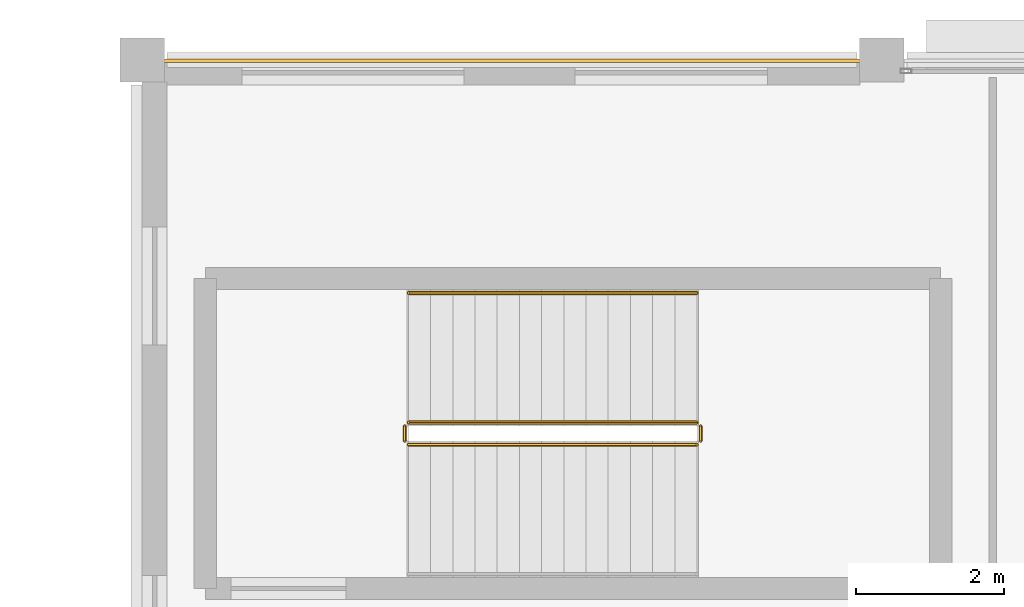
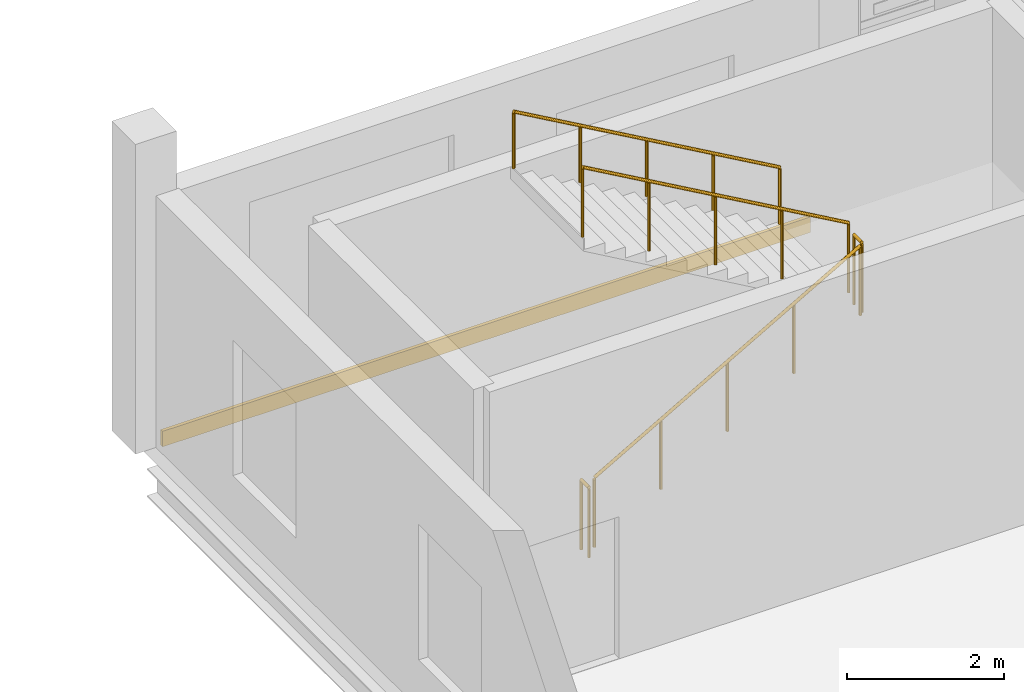
# One storey, part 130 of 134: 5 railings, 1 covering.
"""IFC4 building model written with IfcOpenShell, lengths in metres."""

from ifc_helpers import new_model, si_unit, direction, frame, origin, origin_2d, place, context, subcontext, project, spatial, rectangle, circle, extrude, material, layer, layer_set, type_object, element, save


model = new_model("IFC4")

# Units and contexts
model_context = context("Model", 3, precision=1e-05, world=origin(), true_north=direction((0.0, 1.0)))
body_context = subcontext(model_context, "Body", "Model", "MODEL_VIEW")
ifc_project = project(units=[si_unit("LENGTHUNIT", "METRE"), si_unit("AREAUNIT", "SQUARE_METRE"), si_unit("VOLUMEUNIT", "CUBIC_METRE"), si_unit("PLANEANGLEUNIT", "RADIAN"), si_unit("MASSUNIT", "GRAM", prefix="KILO")], contexts=[model_context])

# Site, building, storey
site_placement = place(None, origin())
site = spatial("IfcSite", under=ifc_project, at=site_placement, CompositionType="ELEMENT")
building_placement = place(site_placement, origin())
building = spatial("IfcBuilding", under=site, at=building_placement, Name="Tamarisk Ironworks Central Station", CompositionType="ELEMENT")
storey_placement = place(building_placement, frame((0.0, 0.0, 12.60009765625)))
storey = spatial("IfcBuildingStorey", under=building, at=storey_placement, Name="L02", CompositionType="ELEMENT", Elevation=12.60009765625)

# Covering
ifc_material_1 = material(Name="Clay facing brickwork and mortar", Category="masonry")
ifc_layer = layer(ifc_material_1, 0.050048828125)
ifc_layer_set = layer_set([ifc_layer], Name="Clay facing brickwork and mortar")
covering_type = type_object("IfcCoveringType", Name="COV-CLAD", PredefinedType="CLADDING", material=ifc_layer_set)
covering_placement = place(storey_placement, frame((123.0, 122.389892578125, -0.240234375), z_axis=(0.0, 0.0, 1.0), x_axis=(1.0, 0.0, 0.0)))
element("IfcCovering", 1, at=covering_placement, inside=storey, type_object=covering_type, Name="L02 terracotta slab-edge spandrel cladding 008", PredefinedType="CLADDING", context=body_context, shape_type="SweptSolid", body=[
    extrude(rectangle(XDim=9.5, YDim=0.050048828125, at=origin_2d()), origin(), (0.0, 0.0, 1.0), 0.239990234375),
])

# Railings
ifc_material_2 = material(Name="Brushed stainless steel AISI 316", Category="steel")
railing_type_1 = type_object("IfcRailingType", Name="RL-GUARD-INT", PredefinedType="BALUSTRADE", material=ifc_material_2)
railing_1_placement = place(storey_placement, frame((121.60009765625, 117.199951171875, 0.17138671875)))
element("IfcRailing", 2, at=railing_1_placement, inside=storey, type_object=railing_type_1, Name="L02 ST-C5 stair guard 1", PredefinedType="BALUSTRADE", context=body_context, shape_type="SweptSolid", body=[
    extrude(circle(Radius=0.02392578125, at=origin_2d()), frame((0.0, 0.0, 1.076171875), z_axis=(0.868243142124, 0.0, 0.496138938357), x_axis=(0.0, 1.0, 0.0)), (0.0, 0.0, 1.0), 4.49169921875),
    extrude(circle(Radius=0.02099609375, at=origin_2d()), origin(), (0.0, 0.0, 1.0), 1.052001953125),
    extrude(circle(Radius=0.02099609375, at=origin_2d()), frame((0.97509765625, 0.0, 0.55712890625)), (0.0, 0.0, 1.0), 1.052001953125),
    extrude(circle(Radius=0.02099609375, at=origin_2d()), frame((1.949951171875, 0.0, 1.1142578125)), (0.0, 0.0, 1.0), 1.052001953125),
    extrude(circle(Radius=0.02099609375, at=origin_2d()), frame((2.9248046875, 0.0, 1.67138671875)), (0.0, 0.0, 1.0), 1.052001953125),
    extrude(circle(Radius=0.02099609375, at=origin_2d()), frame((3.89990234375, 0.0, 2.228515625)), (0.0, 0.0, 1.0), 1.052001953125),
])
railing_2_placement = place(storey_placement, frame((125.550048828125, 117.25, 2.39990234375)))
element("IfcRailing", 3, at=railing_2_placement, inside=storey, type_object=railing_type_1, Name="L02 ST-C5 stair guard 2", PredefinedType="BALUSTRADE", context=body_context, shape_type="SweptSolid", body=[
    extrude(circle(Radius=0.02392578125, at=origin_2d()), frame((0.0, 0.0, 1.076171875), z_axis=(0.0, 1.0, 0.0), x_axis=(-1.0, 0.0, 0.0)), (0.0, 0.0, 1.0), 0.199951171875),
    extrude(circle(Radius=0.02099609375, at=origin_2d()), origin(), (0.0, 0.0, 1.0), 1.052001953125),
    extrude(circle(Radius=0.02099609375, at=origin_2d()), frame((0.0, 0.199951171875, 0.0)), (0.0, 0.0, 1.0), 1.052001953125),
])
railing_3_placement = place(storey_placement, frame((125.5, 117.5, 2.5712890625)))
element("IfcRailing", 4, at=railing_3_placement, inside=storey, type_object=railing_type_1, Name="L02 ST-C5 stair guard 3", PredefinedType="BALUSTRADE", context=body_context, shape_type="SweptSolid", body=[
    extrude(circle(Radius=0.02392578125, at=origin_2d()), frame((0.0, 0.0, 1.076171875), z_axis=(-0.868243142124, 0.0, 0.496138938357), x_axis=(0.0, -1.0, 0.0)), (0.0, 0.0, 1.0), 4.49169921875),
    extrude(circle(Radius=0.02099609375, at=origin_2d()), origin(), (0.0, 0.0, 1.0), 1.052001953125),
    extrude(circle(Radius=0.02099609375, at=origin_2d()), frame((-0.97509765625, 0.0, 0.55712890625)), (0.0, 0.0, 1.0), 1.052001953125),
    extrude(circle(Radius=0.02099609375, at=origin_2d()), frame((-1.949951171875, 0.0, 1.1142578125)), (0.0, 0.0, 1.0), 1.052001953125),
    extrude(circle(Radius=0.02099609375, at=origin_2d()), frame((-2.9248046875, 0.0, 1.67138671875)), (0.0, 0.0, 1.0), 1.052001953125),
    extrude(circle(Radius=0.02099609375, at=origin_2d()), frame((-3.89990234375, 0.0, 2.228515625)), (0.0, 0.0, 1.0), 1.052001953125),
])
railing_4_placement = place(storey_placement, frame((121.550048828125, 117.25, 0.0)))
element("IfcRailing", 5, at=railing_4_placement, inside=storey, type_object=railing_type_1, Name="L02 ST-C5 stair guard 4", PredefinedType="BALUSTRADE", context=body_context, shape_type="SweptSolid", body=[
    extrude(circle(Radius=0.02392578125, at=origin_2d()), frame((0.0, 0.0, 1.076171875), z_axis=(0.0, 1.0, 0.0), x_axis=(-1.0, 0.0, 0.0)), (0.0, 0.0, 1.0), 0.199951171875),
    extrude(circle(Radius=0.02099609375, at=origin_2d()), origin(), (0.0, 0.0, 1.0), 1.052001953125),
    extrude(circle(Radius=0.02099609375, at=origin_2d()), frame((0.0, 0.199951171875, 0.0)), (0.0, 0.0, 1.0), 1.052001953125),
])
railing_type_2 = type_object("IfcRailingType", Name="RL-HAND", PredefinedType="HANDRAIL", material=ifc_material_2)
railing_5_placement = place(storey_placement, frame((125.5, 119.25, 2.5712890625)))
element("IfcRailing", 6, at=railing_5_placement, inside=storey, type_object=railing_type_2, Name="L02 ST-C5 stair handrail 2", PredefinedType="HANDRAIL", context=body_context, shape_type="SweptSolid", body=[
    extrude(circle(Radius=0.02392578125, at=origin_2d()), frame((0.0, 0.0, 0.8759765625), z_axis=(-0.868243142124, 0.0, 0.496138938357), x_axis=(0.0, -1.0, 0.0)), (0.0, 0.0, 1.0), 4.49169921875),
    extrude(circle(Radius=0.02099609375, at=origin_2d()), origin(), (0.0, 0.0, 1.0), 0.851806640625),
    extrude(circle(Radius=0.02099609375, at=origin_2d()), frame((-0.97509765625, 0.0, 0.55712890625)), (0.0, 0.0, 1.0), 0.851806640625),
    extrude(circle(Radius=0.02099609375, at=origin_2d()), frame((-1.949951171875, 0.0, 1.1142578125)), (0.0, 0.0, 1.0), 0.851806640625),
    extrude(circle(Radius=0.02099609375, at=origin_2d()), frame((-2.9248046875, 0.0, 1.67138671875)), (0.0, 0.0, 1.0), 0.851806640625),
    extrude(circle(Radius=0.02099609375, at=origin_2d()), frame((-3.89990234375, 0.0, 2.228515625)), (0.0, 0.0, 1.0), 0.851806640625),
])

save(model, "model.ifc")
